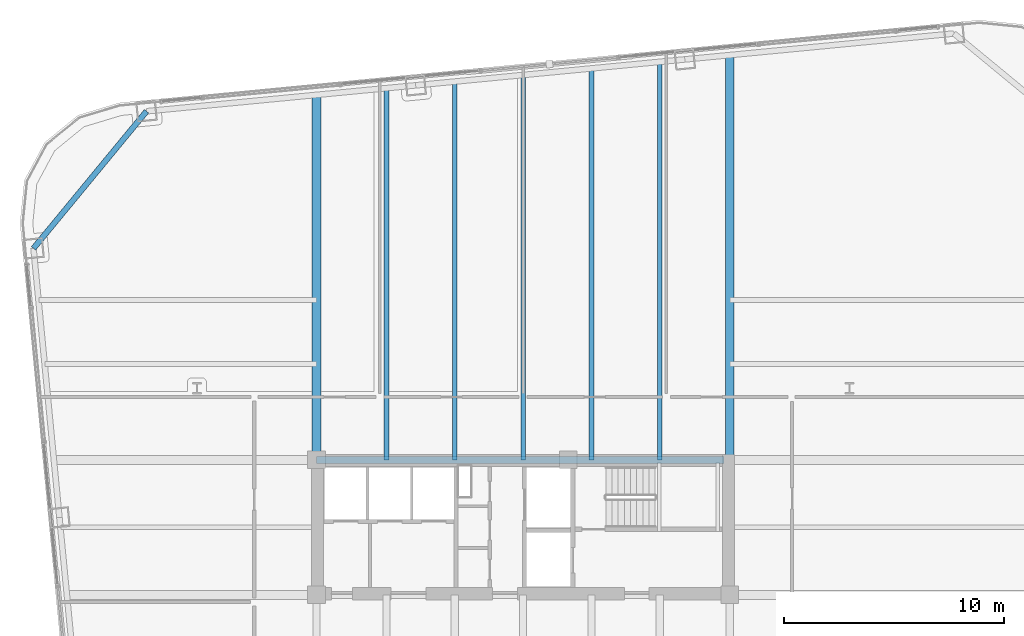
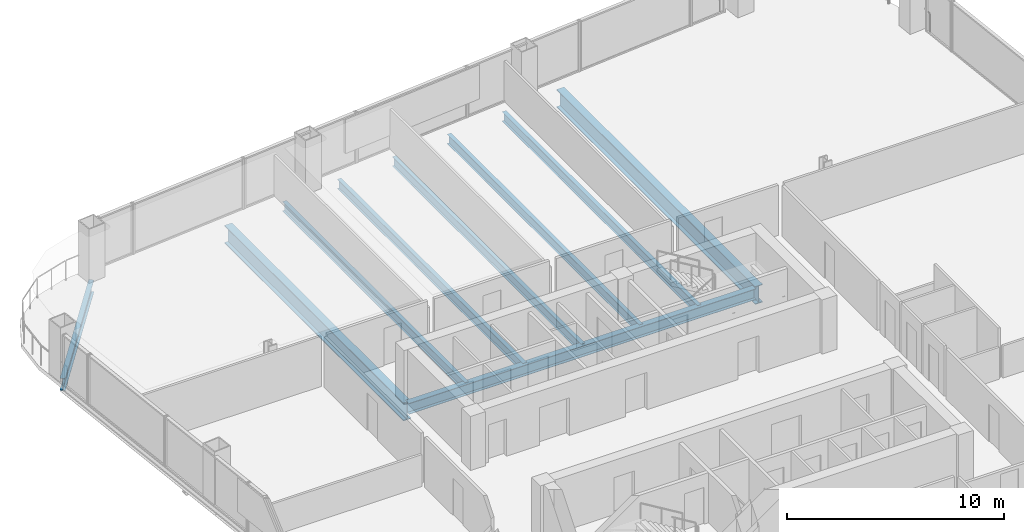
# One storey, part 16 of 28: 9 beams.
"""IFC4 building model written with IfcOpenShell, lengths in metres."""

from ifc_helpers import new_model, si_unit, direction, frame, origin, origin_2d, place, context, subcontext, project, spatial, i_section, extrude, material, material_profile, profile_set, type_object, element, save


model = new_model("IFC4")

# Units and contexts
model_context = context("Model", 3, precision=1e-05, world=origin(), true_north=direction((0.0, 1.0)))
body_context = subcontext(model_context, "Body", "Model", "MODEL_VIEW")
ifc_project = project(units=[si_unit("LENGTHUNIT", "METRE"), si_unit("AREAUNIT", "SQUARE_METRE"), si_unit("VOLUMEUNIT", "CUBIC_METRE"), si_unit("PLANEANGLEUNIT", "RADIAN"), si_unit("MASSUNIT", "GRAM", prefix="KILO")], contexts=[model_context])

# Site, building, storey
site_placement = place(None, origin())
site = spatial("IfcSite", under=ifc_project, at=site_placement, CompositionType="ELEMENT")
building_placement = place(site_placement, origin())
building = spatial("IfcBuilding", under=site, at=building_placement, Name="Qhalaya Broadcast Tower", CompositionType="ELEMENT")
storey_placement = place(building_placement, frame((0.0, 0.0, 90.800048828125)))
storey = spatial("IfcBuildingStorey", under=building, at=storey_placement, Name="L26", CompositionType="ELEMENT", Elevation=90.800048828125)

# Beams
ifc_material = material(Name="Structural Steel ASTM A992 Grade 50", Category="steel")
ifc_material_profile_1 = material_profile(ifc_material, i_section(OverallWidth=0.2099609375, OverallDepth=0.535888671875, WebThickness=0.010986328125, FlangeThickness=0.017333984375, at=origin_2d()), Name="W21X68")
ifc_profile_set_1 = profile_set([ifc_material_profile_1], Name="Structural Steel ASTM A992 Grade 50")
beam_type_1 = type_object("IfcBeamType", Name="Composite Floor Joist J02", PredefinedType="JOIST", material=ifc_profile_set_1)
beam_1_placement = place(storey_placement, frame((-6.199951171875, 9.949951171875, -0.488037109375), z_axis=(0.0, 1.0, 0.0), x_axis=(-1.0, 0.0, 0.0)))
element("IfcBeam", 1, at=beam_1_placement, inside=storey, type_object=beam_type_1, Name="L26 J02 L26-JNN1-1", PredefinedType="JOIST", context=body_context, shape_type="SweptSolid", body=[
    extrude(i_section(OverallWidth=0.2099609375, OverallDepth=0.535888671875, WebThickness=0.010986328125, FlangeThickness=0.017333984375, at=origin_2d()), origin(), (0.0, 0.0, 1.0), 16.843505859375),
])
beam_2_placement = place(storey_placement, frame((-3.10009765625, 9.949951171875, -0.488037109375), z_axis=(0.0, 1.0, 0.0), x_axis=(-1.0, 0.0, 0.0)))
element("IfcBeam", 2, at=beam_2_placement, inside=storey, type_object=beam_type_1, Name="L26 J02 L26-JNN2-1", PredefinedType="JOIST", context=body_context, shape_type="SweptSolid", body=[
    extrude(i_section(OverallWidth=0.2099609375, OverallDepth=0.535888671875, WebThickness=0.010986328125, FlangeThickness=0.017333984375, at=origin_2d()), origin(), (0.0, 0.0, 1.0), 17.14208984375),
])
beam_3_placement = place(storey_placement, frame((0.0, 9.949951171875, -0.488037109375), z_axis=(0.0, 1.0, 0.0), x_axis=(-1.0, 0.0, 0.0)))
element("IfcBeam", 3, at=beam_3_placement, inside=storey, type_object=beam_type_1, Name="L26 J02 L26-JNN3-1", PredefinedType="JOIST", context=body_context, shape_type="SweptSolid", body=[
    extrude(i_section(OverallWidth=0.2099609375, OverallDepth=0.535888671875, WebThickness=0.010986328125, FlangeThickness=0.017333984375, at=origin_2d()), origin(), (0.0, 0.0, 1.0), 17.4404296875),
])
beam_4_placement = place(storey_placement, frame((3.10009765625, 9.949951171875, -0.488037109375), z_axis=(0.0, 1.0, 0.0), x_axis=(-1.0, 0.0, 0.0)))
element("IfcBeam", 4, at=beam_4_placement, inside=storey, type_object=beam_type_1, Name="L26 J02 L26-JNN4-1", PredefinedType="JOIST", context=body_context, shape_type="SweptSolid", body=[
    extrude(i_section(OverallWidth=0.2099609375, OverallDepth=0.535888671875, WebThickness=0.010986328125, FlangeThickness=0.017333984375, at=origin_2d()), origin(), (0.0, 0.0, 1.0), 17.739013671875),
])
beam_5_placement = place(storey_placement, frame((6.199951171875, 9.949951171875, -0.488037109375), z_axis=(0.0, 1.0, 0.0), x_axis=(-1.0, 0.0, 0.0)))
element("IfcBeam", 5, at=beam_5_placement, inside=storey, type_object=beam_type_1, Name="L26 J02 L26-JNN5-1", PredefinedType="JOIST", context=body_context, shape_type="SweptSolid", body=[
    extrude(i_section(OverallWidth=0.2099609375, OverallDepth=0.535888671875, WebThickness=0.010986328125, FlangeThickness=0.017333984375, at=origin_2d()), origin(), (0.0, 0.0, 1.0), 18.03759765625),
])
ifc_material_profile_2 = material_profile(ifc_material, i_section(OverallWidth=0.323974609375, OverallDepth=0.612060546875, WebThickness=0.0126953125, FlangeThickness=0.01904296875, at=origin_2d()), Name="W24X104")
ifc_profile_set_2 = profile_set([ifc_material_profile_2], Name="Structural Steel ASTM A992 Grade 50")
beam_type_2 = type_object("IfcBeamType", Name="Core Frame Tie Beam B04", PredefinedType="BEAM", material=ifc_profile_set_2)
beam_6_placement = place(storey_placement, frame((-9.375, 9.949951171875, -0.526123046875), z_axis=(1.0, 0.0, 0.0), x_axis=(0.0, 1.0, 0.0)))
element("IfcBeam", 6, at=beam_6_placement, inside=storey, type_object=beam_type_2, Name="L26 B04 L26-CCN3", PredefinedType="BEAM", context=body_context, shape_type="SweptSolid", body=[
    extrude(i_section(OverallWidth=0.323974609375, OverallDepth=0.612060546875, WebThickness=0.0126953125, FlangeThickness=0.01904296875, at=origin_2d()), origin(), (0.0, 0.0, 1.0), 18.4951171875),
])
ifc_material_profile_3 = material_profile(ifc_material, i_section(OverallWidth=0.40087890625, OverallDepth=1.010986328125, WebThickness=0.023681640625, FlangeThickness=0.0419921875, at=origin_2d()), Name="W40X297")
ifc_profile_set_3 = profile_set([ifc_material_profile_3], Name="Structural Steel ASTM A992 Grade 50")
beam_type_3 = type_object("IfcBeamType", Name="Lower Block Primary Girder PG2", PredefinedType="USERDEFINED", material=ifc_profile_set_3)
beam_7_placement = place(storey_placement, frame((-9.375, 9.949951171875, -0.7255859375), z_axis=(0.0, 1.0, 0.0), x_axis=(-1.0, 0.0, 0.0)))
element("IfcBeam", 7, at=beam_7_placement, inside=storey, type_object=beam_type_3, Name="L26 PG2 L26-PGXN1-1", ObjectType="GIRDER", PredefinedType="USERDEFINED", context=body_context, shape_type="SweptSolid", body=[
    extrude(i_section(OverallWidth=0.40087890625, OverallDepth=1.010986328125, WebThickness=0.023681640625, FlangeThickness=0.0419921875, at=origin_2d()), origin(), (0.0, 0.0, 1.0), 16.537841796875),
])
beam_8_placement = place(storey_placement, frame((9.375, 9.949951171875, -0.7255859375), z_axis=(0.0, 1.0, 0.0), x_axis=(-1.0, 0.0, 0.0)))
element("IfcBeam", 8, at=beam_8_placement, inside=storey, type_object=beam_type_3, Name="L26 PG2 L26-PGXN2-1", ObjectType="GIRDER", PredefinedType="USERDEFINED", context=body_context, shape_type="SweptSolid", body=[
    extrude(i_section(OverallWidth=0.40087890625, OverallDepth=1.010986328125, WebThickness=0.023681640625, FlangeThickness=0.0419921875, at=origin_2d()), origin(), (0.0, 0.0, 1.0), 18.34326171875),
])
ifc_material_profile_4 = material_profile(ifc_material, i_section(OverallWidth=0.25390625, OverallDepth=0.68310546875, WebThickness=0.012451171875, FlangeThickness=0.01904296875, at=origin_2d()), Name="W27X94")
ifc_profile_set_4 = profile_set([ifc_material_profile_4], Name="Structural Steel ASTM A992 Grade 50")
beam_type_4 = type_object("IfcBeamType", Name="Perimeter Ring Spandrel Beam SP1", PredefinedType="SPANDREL", material=ifc_profile_set_4)
beam_9_placement = place(storey_placement, frame((-17.085205078125, 25.765380859375, -0.5615234375), z_axis=(-0.636085107008, -0.771618906354, 0.0), x_axis=(0.771618906354, -0.636085107008, 0.0)))
element("IfcBeam", 9, at=beam_9_placement, inside=storey, type_object=beam_type_4, Name="L26 SP1 L26-SPR-12", PredefinedType="SPANDREL", context=body_context, shape_type="SweptSolid", body=[
    extrude(i_section(OverallWidth=0.25390625, OverallDepth=0.68310546875, WebThickness=0.012451171875, FlangeThickness=0.01904296875, at=origin_2d()), origin(), (0.0, 0.0, 1.0), 8.06103515625),
])

save(model, "model.ifc")
